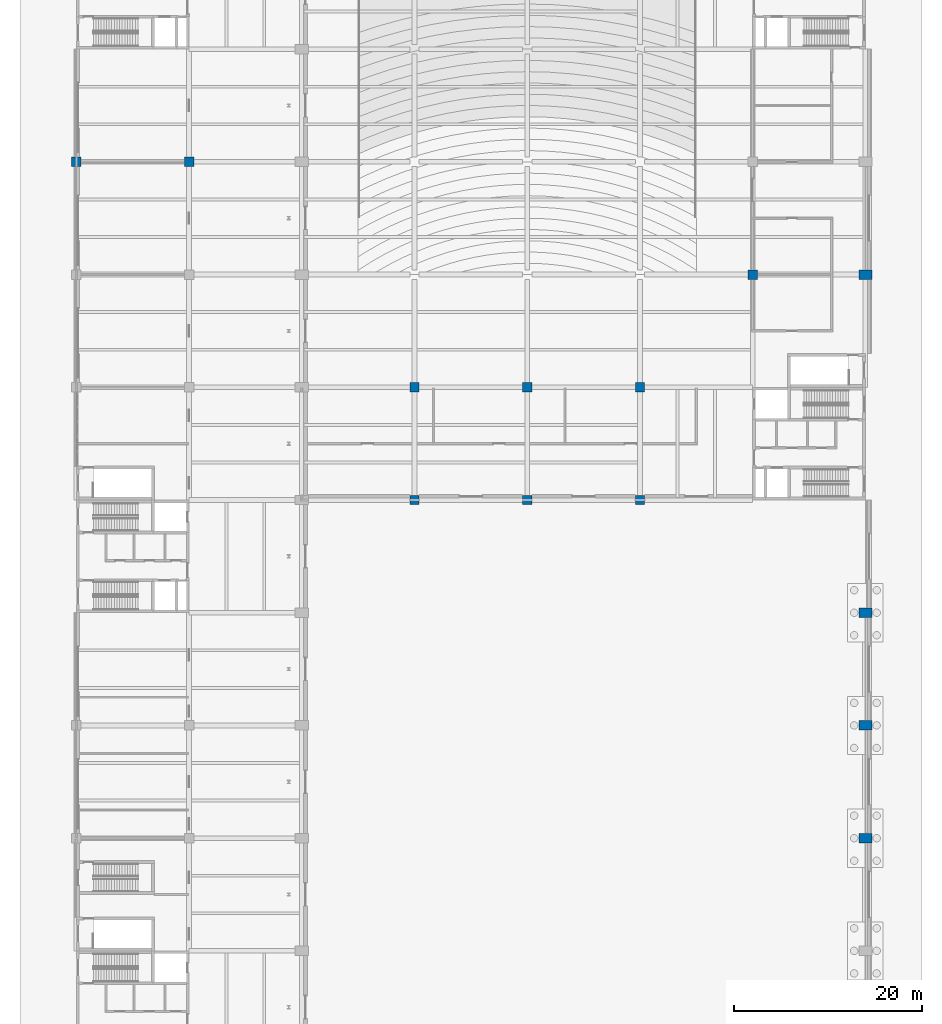
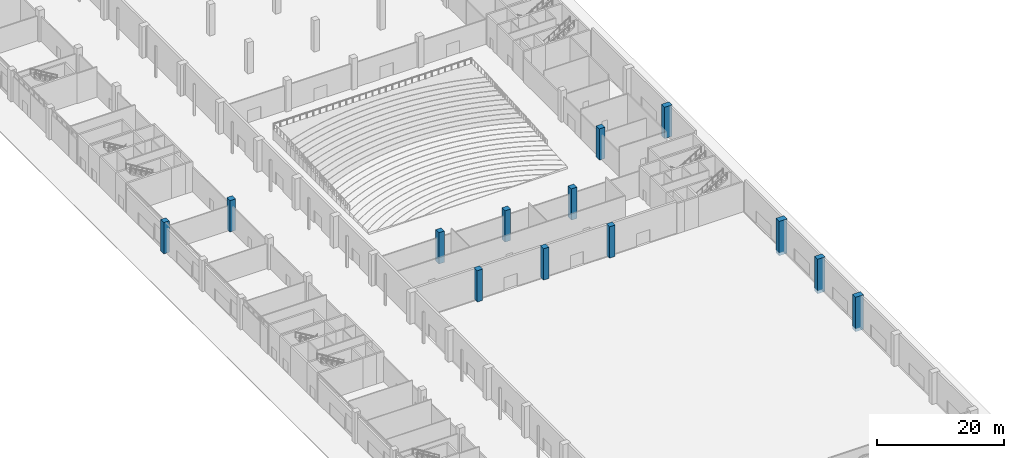
# One storey, part 7 of 59: 13 columns.
"""IFC4 building model written with IfcOpenShell, lengths in metres."""

from ifc_helpers import new_model, si_unit, direction, frame, origin, origin_2d, place, context, subcontext, project, spatial, rectangle, extrude, material, material_profile, profile_set, type_object, element, save


model = new_model("IFC4")

# Units and contexts
model_context = context("Model", 3, precision=1e-05, world=origin(), true_north=direction((0.0, 1.0)))
body_context = subcontext(model_context, "Body", "Model", "MODEL_VIEW")
ifc_project = project(units=[si_unit("LENGTHUNIT", "METRE"), si_unit("AREAUNIT", "SQUARE_METRE"), si_unit("VOLUMEUNIT", "CUBIC_METRE"), si_unit("PLANEANGLEUNIT", "RADIAN"), si_unit("MASSUNIT", "GRAM", prefix="KILO")], contexts=[model_context])

# Site, building, storey
site_placement = place(None, origin())
site = spatial("IfcSite", under=ifc_project, at=site_placement, CompositionType="ELEMENT")
building_placement = place(site_placement, origin())
building = spatial("IfcBuilding", under=site, at=building_placement, Name="Lilac Gate Convention Centre", CompositionType="ELEMENT")
storey_placement = place(building_placement, origin())
storey = spatial("IfcBuildingStorey", under=building, at=storey_placement, Name="L00", CompositionType="ELEMENT", Elevation=0.0)

# Columns
ifc_material = material(Name="Concrete C40", Category="concrete")
ifc_material_profile_1 = material_profile(ifc_material, rectangle(XDim=1.0, YDim=1.0, at=origin_2d()), Name="RC 1000x1000")
ifc_profile_set_1 = profile_set([ifc_material_profile_1], Name="Concrete C40")
column_type_1 = type_object("IfcColumnType", Name="RC column 1000x1000 C40", PredefinedType="COLUMN", material=ifc_profile_set_1)
for number, where, z_axis, x_axis, name in (
    (1, (6.0, 138.0, 0.0), (0.0, 0.0, 1.0), (1.0, 0.0, 0.0), "C1 L00 at 1/K"),
    (2, (18.0, 138.0, 0.0), (0.0, 0.0, 1.0), (1.0, 0.0, 0.0), "C1 L00 at 2/K"),
    (3, (42.0, 102.0, 0.0), (0.0, 0.0, 1.0), (1.0, 0.0, 0.0), "C1 L00 at 4/G"),
    (4, (42.0, 114.0, 0.0), (0.0, 0.0, 1.0), (1.0, 0.0, 0.0), "C1 L00 at 4/H"),
    (5, (54.0, 102.0, 0.0), (0.0, 0.0, 1.0), (1.0, 0.0, 0.0), "C1 L00 at 5/G"),
    (6, (54.0, 114.0, 0.0), (0.0, 0.0, 1.0), (1.0, 0.0, 0.0), "C1 L00 at 5/H"),
    (7, (66.0, 102.0, 0.0), (0.0, 0.0, 1.0), (1.0, 0.0, 0.0), "C1 L00 at 6/G"),
    (8, (66.0, 114.0, 0.0), (0.0, 0.0, 1.0), (1.0, 0.0, 0.0), "C1 L00 at 6/H"),
    (9, (78.0, 126.0, 0.0), (0.0, 0.0, 1.0), (1.0, 0.0, 0.0), "C1 L00 at 7/J"),
):
    element("IfcColumn", number, at=place(storey_placement, frame(where, z_axis=z_axis, x_axis=x_axis)), inside=storey, type_object=column_type_1, Name=name, PredefinedType="COLUMN", context=body_context, shape_type="SweptSolid", body=[
        extrude(rectangle(XDim=1.0, YDim=1.0, at=origin_2d()), origin(), (0.0, 0.0, 1.0), 6.0),
    ])
ifc_material_profile_2 = material_profile(ifc_material, rectangle(XDim=1.39990234375, YDim=1.0, at=origin_2d()), Name="RC 1400x1000")
ifc_profile_set_2 = profile_set([ifc_material_profile_2], Name="Concrete C40")
column_type_2 = type_object("IfcColumnType", Name="RC hall column 1400x1000 C40", PredefinedType="COLUMN", material=ifc_profile_set_2)
for number, where, z_axis, x_axis, name in (
    (10, (90.0, 66.0, -0.60009765625), (0.0, 0.0, 1.0), (1.0, 0.0, 0.0), "C2 L00 at 8/D"),
    (11, (90.0, 78.0, -0.60009765625), (0.0, 0.0, 1.0), (1.0, 0.0, 0.0), "C2 L00 at 8/E"),
    (12, (90.0, 90.0, -0.60009765625), (0.0, 0.0, 1.0), (1.0, 0.0, 0.0), "C2 L00 at 8/F"),
):
    element("IfcColumn", number, at=place(storey_placement, frame(where, z_axis=z_axis, x_axis=x_axis)), inside=storey, type_object=column_type_2, Name=name, PredefinedType="COLUMN", context=body_context, shape_type="SweptSolid", body=[
        extrude(rectangle(XDim=1.39990234375, YDim=1.0, at=origin_2d()), origin(), (0.0, 0.0, 1.0), 6.60009765625),
    ])
column_placement = place(storey_placement, frame((90.0, 126.0, 0.0), z_axis=(0.0, 0.0, 1.0), x_axis=(1.0, 0.0, 0.0)))
element("IfcColumn", 13, at=column_placement, inside=storey, type_object=column_type_2, Name="C2 L00 at 8/J", PredefinedType="COLUMN", context=body_context, shape_type="SweptSolid", body=[
    extrude(rectangle(XDim=1.39990234375, YDim=1.0, at=origin_2d()), origin(), (0.0, 0.0, 1.0), 6.0),
])

save(model, "model.ifc")
